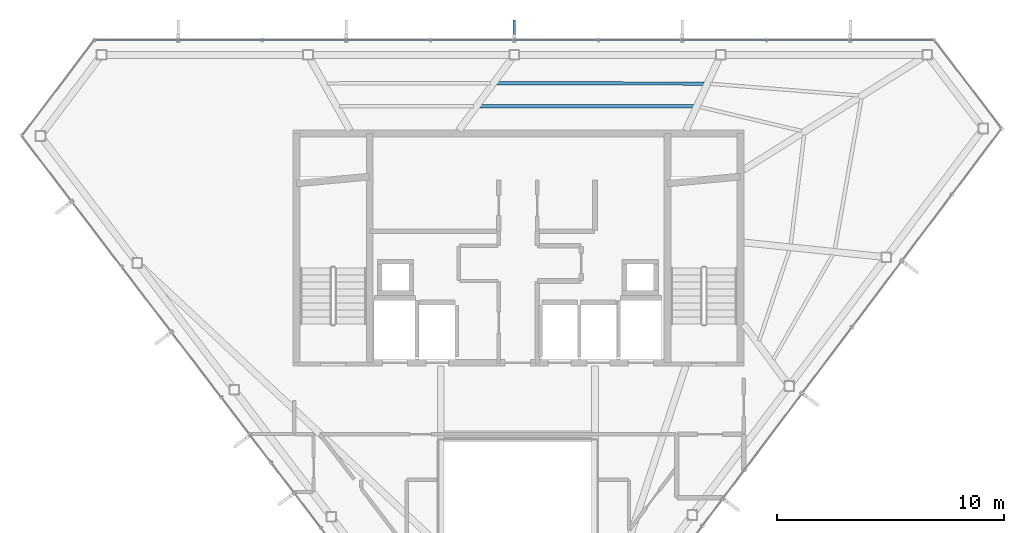
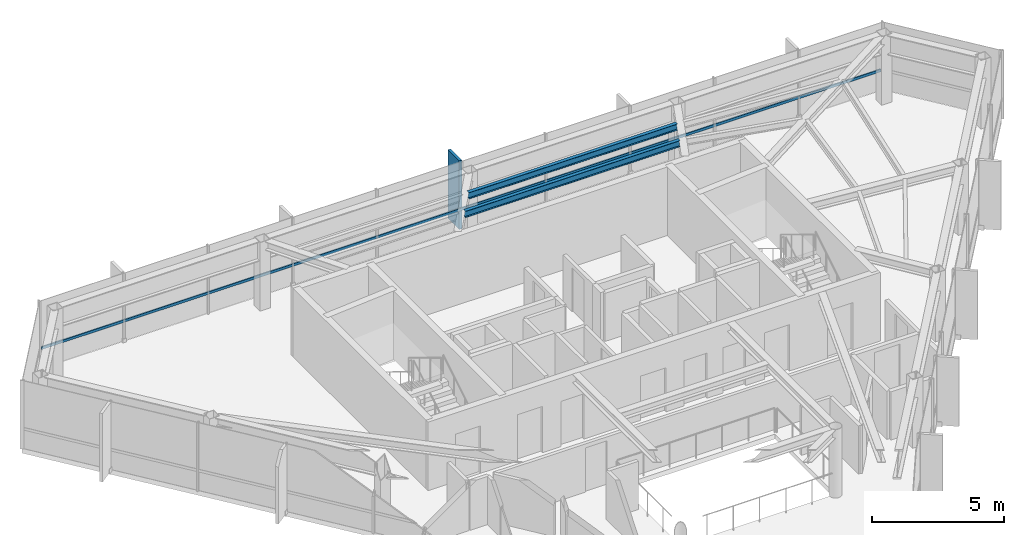
# One storey, part 13 of 22: 2 beams, 2 members, 1 element without a shape of its own.
"""IFC4 building model written with IfcOpenShell, lengths in metres."""

from ifc_helpers import new_model, si_unit, direction, frame, origin, origin_2d, place, context, subcontext, project, spatial, rectangle, hollow_rectangle, i_section, extrude, material, layer, layer_set, material_profile, profile_set, type_object, element, aggregate, save


model = new_model("IFC4")

# Units and contexts
model_context = context("Model", 3, precision=1e-05, world=origin(), true_north=direction((0.0, 1.0)))
body_context = subcontext(model_context, "Body", "Model", "MODEL_VIEW")
ifc_project = project(units=[si_unit("LENGTHUNIT", "METRE"), si_unit("AREAUNIT", "SQUARE_METRE"), si_unit("VOLUMEUNIT", "CUBIC_METRE"), si_unit("PLANEANGLEUNIT", "RADIAN"), si_unit("MASSUNIT", "GRAM", prefix="KILO")], contexts=[model_context])

# Site, building, storey
site_placement = place(None, origin())
site = spatial("IfcSite", under=ifc_project, at=site_placement, CompositionType="ELEMENT")
building_placement = place(site_placement, origin())
building = spatial("IfcBuilding", under=site, at=building_placement, Name="Zarrinselat Tower", CompositionType="ELEMENT")
storey_placement = place(building_placement, frame((0.0, 0.0, 289.0)))
storey = spatial("IfcBuildingStorey", under=building, at=storey_placement, Name="L74", CompositionType="ELEMENT", Elevation=289.0)

# Beams
ifc_material_1 = material(Name="Steel S355J2", Category="steel")
ifc_material_profile_1 = material_profile(ifc_material_1, i_section(OverallWidth=0.14990234375, OverallDepth=0.300048828125, WebThickness=0.007080078125, FlangeThickness=0.0107421875, at=origin_2d()), Name="IPE 300")
ifc_profile_set_1 = profile_set([ifc_material_profile_1], Name="Steel S355J2")
beam_type = type_object("IfcBeamType", Name="BM-IPE300", PredefinedType="JOIST", material=ifc_profile_set_1)
beam_1_placement = place(storey_placement, frame((37.46533203125, 45.61474609375, 3.030029296875), z_axis=(0.999998675002, -0.001627879995, 0.0), x_axis=(0.001627879995, 0.999998675002, 0.0)))
element("IfcBeam", 1, at=beam_1_placement, inside=storey, type_object=beam_type, Name="L74 Composite Floor Joist 7-1", PredefinedType="JOIST", context=body_context, shape_type="SweptSolid", body=[
    extrude(i_section(OverallWidth=0.14990234375, OverallDepth=0.300048828125, WebThickness=0.007080078125, FlangeThickness=0.0107421875, at=origin_2d()), origin(), (0.0, 0.0, 1.0), 9.1484375),
])
beam_2_placement = place(storey_placement, frame((36.7255859375, 44.60888671875, 3.030029296875), z_axis=(0.999999677642, -0.000802942137, 0.0), x_axis=(0.000802942137, 0.999999677642, 0.0)))
element("IfcBeam", 2, at=beam_2_placement, inside=storey, type_object=beam_type, Name="L74 Composite Floor Joist 7-2", PredefinedType="JOIST", context=body_context, shape_type="SweptSolid", body=[
    extrude(i_section(OverallWidth=0.14990234375, OverallDepth=0.300048828125, WebThickness=0.007080078125, FlangeThickness=0.0107421875, at=origin_2d()), origin(), (0.0, 0.0, 1.0), 9.42578125),
])

# Curtain wall, members
ifc_material_2 = material(Name="Extruded Aluminium Alloy EN AW-6063 T6", Category="aluminium")
ifc_layer = layer(ifc_material_2, 0.169921875)
ifc_layer_set = layer_set([ifc_layer], Name="Extruded Aluminium Alloy EN AW-6063 T6")
curtain_wall_type = type_object("IfcCurtainWallType", Name="CWS-RES", PredefinedType="NOTDEFINED", material=ifc_layer_set)
curtain_wall_placement = place(storey_placement, origin())
curtain_wall = element("IfcCurtainWall", 3, at=curtain_wall_placement, inside=storey, type_object=curtain_wall_type, Name="L74 Unitised Curtain Wall CW-L74-E01", PredefinedType="NOTDEFINED")
ifc_material_3 = material(Name="Extruded Aluminium Alloy EN AW-6063 T6", Category="aluminium")
ifc_material_profile_2 = material_profile(ifc_material_3, hollow_rectangle(XDim=0.06005859375, YDim=0.1201171875, WallThickness=0.00390625, at=origin_2d()), Name="RHS 120x60x4")
ifc_profile_set_2 = profile_set([ifc_material_profile_2], Name="Extruded Aluminium Alloy EN AW-6063 T6")
member_type_1 = type_object("IfcMemberType", Name="MEM-CW-TRN2", PredefinedType="USERDEFINED", material=ifc_profile_set_2)
member_1_placement = place(storey_placement, frame((56.6669921875, 47.5166015625, 0.949951171875), z_axis=(-1.0, 0.0, 0.0), x_axis=(0.0, -1.0, 0.0)))
member_1 = element("IfcMember", 4, at=member_1_placement, type_object=member_type_1, Name="CW-L74-E01 Transom 1", ObjectType="TRANSOM", PredefinedType="USERDEFINED", context=body_context, shape_type="SweptSolid", body=[
    extrude(hollow_rectangle(XDim=0.06005859375, YDim=0.1201171875, WallThickness=0.00390625, at=origin_2d()), origin(), (0.0, 0.0, 1.0), 36.845947265625),
])
ifc_material_4 = material(Name="Honed Cream Travertine Stone", Category="masonry")
ifc_material_profile_3 = material_profile(ifc_material_4, rectangle(XDim=0.1201171875, YDim=0.85009765625, at=origin_2d()), Name="FIN 850x120")
ifc_profile_set_3 = profile_set([ifc_material_profile_3], Name="Honed Cream Travertine Stone")
member_type_2 = type_object("IfcMemberType", Name="MEM-STONE-FIN", PredefinedType="USERDEFINED", material=ifc_profile_set_3)
member_2_placement = place(storey_placement, frame((38.244140625, 47.976806640625, 0.0), z_axis=(0.0, 0.0, 1.0), x_axis=(1.0, 0.0, 0.0)))
member_2 = element("IfcMember", 5, at=member_2_placement, type_object=member_type_2, Name="L74 Stone Shading Fin CW-L74-E01-05", ObjectType="FIN", PredefinedType="USERDEFINED", context=body_context, shape_type="SweptSolid", body=[
    extrude(rectangle(XDim=0.1201171875, YDim=0.85009765625, at=origin_2d()), origin(), (0.0, 0.0, 1.0), 3.179931640625),
])
aggregate(curtain_wall, [member_2, member_1])

save(model, "model.ifc")
